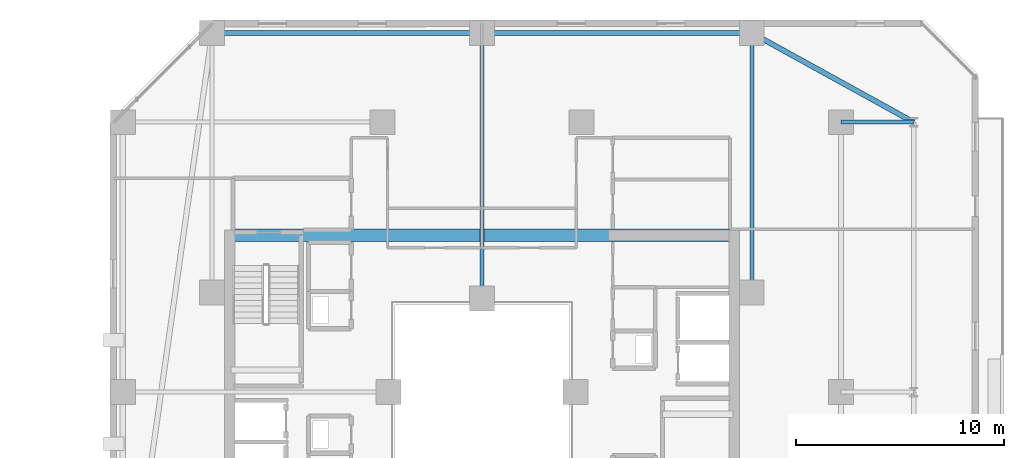
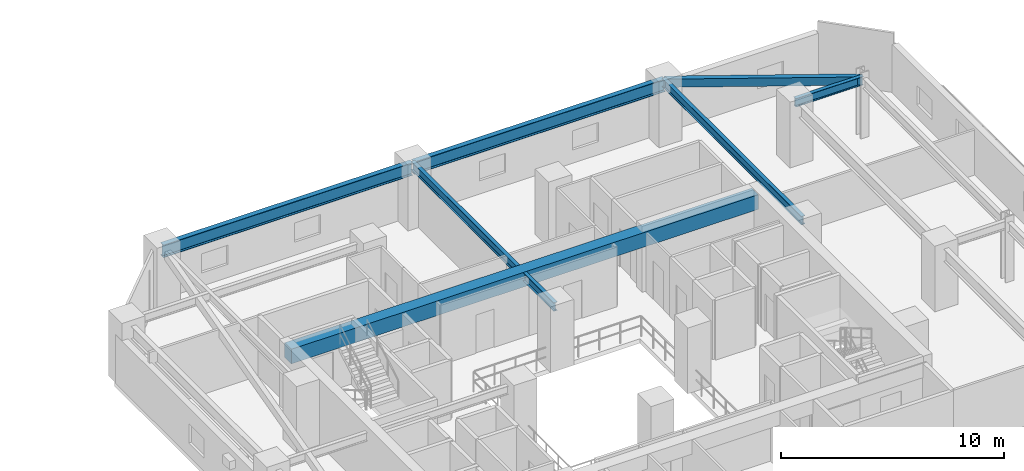
# One storey, part 15 of 34: 7 beams.
"""IFC4 building model written with IfcOpenShell, lengths in metres."""

from ifc_helpers import new_model, si_unit, direction, frame, origin, origin_2d, place, context, subcontext, project, spatial, rectangle, hollow_rectangle, i_section, extrude, material, material_profile, profile_set, type_object, element, save


model = new_model("IFC4")

# Units and contexts
model_context = context("Model", 3, precision=1e-05, world=origin(), true_north=direction((0.0, 1.0)))
body_context = subcontext(model_context, "Body", "Model", "MODEL_VIEW")
ifc_project = project(units=[si_unit("LENGTHUNIT", "METRE"), si_unit("AREAUNIT", "SQUARE_METRE"), si_unit("VOLUMEUNIT", "CUBIC_METRE"), si_unit("PLANEANGLEUNIT", "RADIAN"), si_unit("MASSUNIT", "GRAM", prefix="KILO")], contexts=[model_context])

# Site, building, storey
site_placement = place(None, origin())
site = spatial("IfcSite", under=ifc_project, at=site_placement, CompositionType="ELEMENT")
building_placement = place(site_placement, origin())
building = spatial("IfcBuilding", under=site, at=building_placement, Name="Thornwick Lancets Civic Towers", CompositionType="ELEMENT")
storey_placement = place(building_placement, frame((0.0, 0.0, 137.699951171875)))
storey = spatial("IfcBuildingStorey", under=building, at=storey_placement, Name="L36", CompositionType="ELEMENT", Elevation=137.699951171875)

# Beams
ifc_material_1 = material(Name="Concrete C60/75", Category="concrete")
ifc_material_profile_1 = material_profile(ifc_material_1, rectangle(XDim=0.60009765625, YDim=0.800048828125, at=origin_2d()), Name="RC 600x800")
ifc_profile_set_1 = profile_set([ifc_material_profile_1], Name="Concrete C60/75")
beam_type_1 = type_object("IfcBeamType", Name="BM_COUP_RC800", PredefinedType="BEAM", material=ifc_profile_set_1)
beam_1_placement = place(storey_placement, frame((76.39990234375, 34.550048828125, 2.880126953125), z_axis=(1.0, 0.0, 0.0), x_axis=(0.0, 1.0, 0.0)))
element("IfcBeam", 1, at=beam_1_placement, inside=storey, type_object=beam_type_1, Name="CB-L36-B1", PredefinedType="BEAM", context=body_context, shape_type="SweptSolid", body=[
    extrude(rectangle(XDim=0.60009765625, YDim=0.800048828125, at=origin_2d()), origin(), (0.0, 0.0, 1.0), 24.2001953125),
])
ifc_material_2 = material(Name="Steel S355JR", Category="steel")
ifc_material_profile_2 = material_profile(ifc_material_2, i_section(OverallWidth=0.255859375, OverallDepth=0.69287109375, WebThickness=0.014404296875, FlangeThickness=0.023681640625, FilletRadius=0.01513671875, at=origin_2d()), Name="UKB 686x254x170")
ifc_profile_set_2 = profile_set([ifc_material_profile_2], Name="Steel S355JR")
beam_type_2 = type_object("IfcBeamType", Name="BM_GIRD_686_170", PredefinedType="BEAM", material=ifc_profile_set_2)
beam_2_placement = place(storey_placement, frame((101.5, 44.300048828125, 2.93359375), z_axis=(-1.0, 0.0, 0.0), x_axis=(0.0, -1.0, 0.0)))
element("IfcBeam", 2, at=beam_2_placement, inside=storey, type_object=beam_type_2, Name="BM-SPINE-L36-B-3-4", PredefinedType="BEAM", context=body_context, shape_type="SweptSolid", body=[
    extrude(i_section(OverallWidth=0.255859375, OverallDepth=0.69287109375, WebThickness=0.014404296875, FlangeThickness=0.023681640625, FilletRadius=0.01513671875, at=origin_2d()), origin(), (0.0, 0.0, 1.0), 13.0),
])
beam_3_placement = place(storey_placement, frame((88.419921875, 44.300048828125, 2.93359375), z_axis=(-1.0, 0.0, 0.0), x_axis=(0.0, -1.0, 0.0)))
element("IfcBeam", 3, at=beam_3_placement, inside=storey, type_object=beam_type_2, Name="BM-SPINE-L36-B-4-5", PredefinedType="BEAM", context=body_context, shape_type="SweptSolid", body=[
    extrude(i_section(OverallWidth=0.255859375, OverallDepth=0.69287109375, WebThickness=0.014404296875, FlangeThickness=0.023681640625, FilletRadius=0.01513671875, at=origin_2d()), origin(), (0.0, 0.0, 1.0), 12.919921875),
])
ifc_material_profile_3 = material_profile(ifc_material_2, i_section(OverallWidth=0.19189453125, OverallDepth=0.46337890625, WebThickness=0.010498046875, FlangeThickness=0.017578125, FilletRadius=0.01025390625, at=origin_2d()), Name="UKB 457x191x89")
ifc_profile_set_3 = profile_set([ifc_material_profile_3], Name="Steel S355JR")
beam_type_3 = type_object("IfcBeamType", Name="BM_JOIST_457_89", PredefinedType="JOIST", material=ifc_profile_set_3)
beam_4_placement = place(storey_placement, frame((105.800048828125, 40.0, 3.04833984375), z_axis=(1.0, 0.0, 0.0), x_axis=(0.0, 1.0, 0.0)))
element("IfcBeam", 4, at=beam_4_placement, inside=storey, type_object=beam_type_3, Name="BM-RAD-L36-B03", PredefinedType="JOIST", context=body_context, shape_type="SweptSolid", body=[
    extrude(i_section(OverallWidth=0.19189453125, OverallDepth=0.46337890625, WebThickness=0.010498046875, FlangeThickness=0.017578125, FilletRadius=0.01025390625, at=origin_2d()), origin(), (0.0, 0.0, 1.0), 3.5),
])
beam_5_placement = place(storey_placement, frame((101.5, 31.800048828125, 3.04833984375), z_axis=(0.0, 1.0, 0.0), x_axis=(-1.0, 0.0, 0.0)))
element("IfcBeam", 5, at=beam_5_placement, inside=storey, type_object=beam_type_3, Name="BM-RADIN-L36-B04", PredefinedType="JOIST", context=body_context, shape_type="SweptSolid", body=[
    extrude(i_section(OverallWidth=0.19189453125, OverallDepth=0.46337890625, WebThickness=0.010498046875, FlangeThickness=0.017578125, FilletRadius=0.01025390625, at=origin_2d()), origin(), (0.0, 0.0, 1.0), 12.5),
])
beam_6_placement = place(storey_placement, frame((88.5, 31.5, 3.04833984375), z_axis=(0.0, 1.0, 0.0), x_axis=(-1.0, 0.0, 0.0)))
element("IfcBeam", 6, at=beam_6_placement, inside=storey, type_object=beam_type_3, Name="BM-RADIN-L36-B05", PredefinedType="JOIST", context=body_context, shape_type="SweptSolid", body=[
    extrude(i_section(OverallWidth=0.19189453125, OverallDepth=0.46337890625, WebThickness=0.010498046875, FlangeThickness=0.017578125, FilletRadius=0.01025390625, at=origin_2d()), origin(), (0.0, 0.0, 1.0), 12.800048828125),
])
ifc_material_profile_4 = material_profile(ifc_material_2, hollow_rectangle(XDim=0.25, YDim=0.449951171875, WallThickness=0.01611328125, at=origin_2d()), Name="RHS 450x250x16")
ifc_profile_set_4 = profile_set([ifc_material_profile_4], Name="Steel S355JR")
beam_type_4 = type_object("IfcBeamType", Name="BM_RING_RHS450", PredefinedType="BEAM", material=ifc_profile_set_4)
beam_7_placement = place(storey_placement, frame((109.300048828125, 40.0, 3.054931640625), z_axis=(-0.875740348708, 0.482782395749, 0.0), x_axis=(-0.482782395749, -0.875740348708, 0.0)))
element("IfcBeam", 7, at=beam_7_placement, inside=storey, type_object=beam_type_4, Name="BM-CHAMF-L36-B-C0", PredefinedType="BEAM", context=body_context, shape_type="SweptSolid", body=[
    extrude(hollow_rectangle(XDim=0.25, YDim=0.449951171875, WallThickness=0.01611328125, at=origin_2d()), origin(), (0.0, 0.0, 1.0), 8.90673828125),
])

save(model, "model.ifc")
